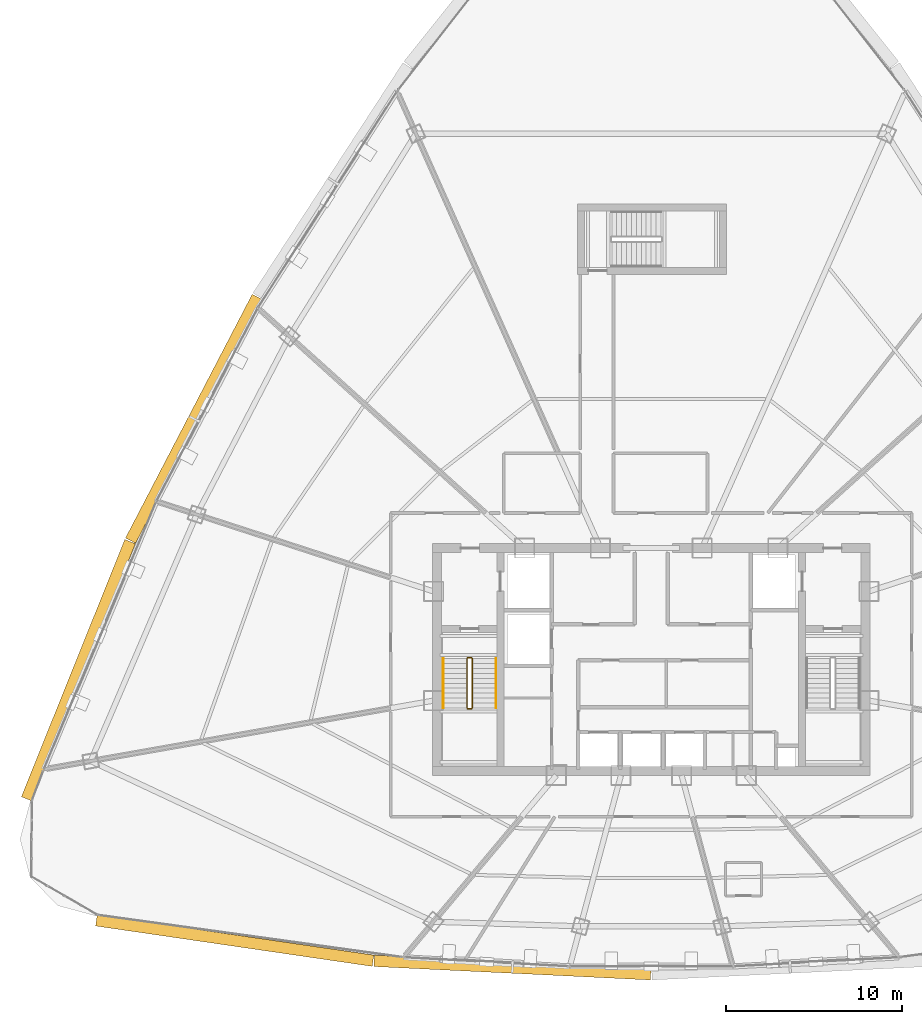
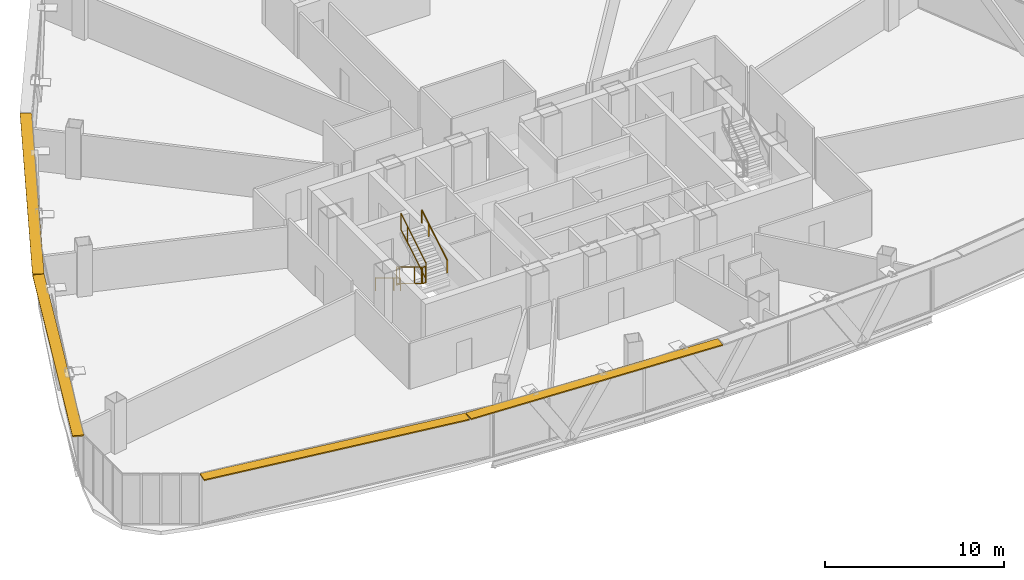
# One storey, part 33 of 36: 6 railings, 4 shading devices.
"""IFC4 building model written with IfcOpenShell, lengths in metres."""

from ifc_helpers import new_model, si_unit, direction, frame, origin, origin_2d, place, context, subcontext, project, spatial, rectangle, extrude, source, transform, mapped, material, layer, layer_set, type_object, element, save


model = new_model("IFC4")

# Units and contexts
model_context = context("Model", 3, precision=1e-05, world=origin(), true_north=direction((0.0, 1.0)))
body_context = subcontext(model_context, "Body", "Model", "MODEL_VIEW")
ifc_project = project(units=[si_unit("LENGTHUNIT", "METRE"), si_unit("AREAUNIT", "SQUARE_METRE"), si_unit("VOLUMEUNIT", "CUBIC_METRE"), si_unit("PLANEANGLEUNIT", "RADIAN"), si_unit("MASSUNIT", "GRAM", prefix="KILO"), si_unit("THERMODYNAMICTEMPERATUREUNIT", "KELVIN"), si_unit("POWERUNIT", "WATT")], contexts=[model_context])

# Site, building, storey
site_placement = place(None, origin())
site = spatial("IfcSite", under=ifc_project, at=site_placement, CompositionType="ELEMENT")
building_placement = place(site_placement, origin())
building = spatial("IfcBuilding", under=site, at=building_placement, Name="Yunzhuo Pagoda Commons", CompositionType="ELEMENT")
storey_placement = place(building_placement, frame((0.0, 0.0, 248.260009765625)))
storey = spatial("IfcBuildingStorey", under=building, at=storey_placement, Name="L62", CompositionType="ELEMENT", Elevation=248.260009765625)

# Railings
ifc_material = material(Name="Anodized aluminium 6063-T6", Category="aluminium")
railing_type_1 = type_object("IfcRailingType", Name="GR-ST1 Stair Well Guardrail 1150", PredefinedType="GUARDRAIL", material=ifc_material)
railing_1_placement = place(storey_placement, frame((37.5, 33.89990234375, 0.16943359375)))
element("IfcRailing", 1, at=railing_1_placement, inside=storey, type_object=railing_type_1, Name="L62 ST1 stair guard 1", PredefinedType="GUARDRAIL", context=body_context, shape_type="SweptSolid", body=[
    extrude(rectangle(XDim=0.048095703125, YDim=0.048095703125, at=origin_2d()), frame((0.0, 0.0, 1.1259765625), z_axis=(0.0, -0.855373106579, 0.518012401918), x_axis=(1.0, 0.0, 0.0)), (0.0, 0.0, 1.0), 3.273193359375),
    extrude(rectangle(XDim=0.048095703125, YDim=0.048095703125, at=origin_2d()), frame((0.0, 0.0, 0.02392578125), z_axis=(0.0, -0.855373106579, 0.518012401918), x_axis=(1.0, 0.0, 0.0)), (0.0, 0.0, 1.0), 3.273193359375),
    extrude(rectangle(XDim=0.0419921875, YDim=0.0419921875, at=origin_2d()), origin(), (0.0, 0.0, 1.0), 1.101806640625),
    extrude(rectangle(XDim=0.0419921875, YDim=0.0419921875, at=origin_2d()), frame((0.0, -2.052978515625, 1.2431640625)), (0.0, 0.0, 1.0), 1.101806640625),
    extrude(rectangle(XDim=0.0419921875, YDim=0.0419921875, at=origin_2d()), frame((0.0, -2.7998046875, 1.695556640625)), (0.0, 0.0, 1.0), 1.101806640625),
])
railing_2_placement = place(storey_placement, frame((37.550048828125, 31.050048828125, 1.864990234375)))
element("IfcRailing", 2, at=railing_2_placement, inside=storey, type_object=railing_type_1, Name="L62 ST1 stair guard 2", PredefinedType="GUARDRAIL", context=body_context, shape_type="SweptSolid", body=[
    extrude(rectangle(XDim=0.048095703125, YDim=0.048095703125, at=origin_2d()), frame((0.0, 0.0, 1.1259765625), z_axis=(1.0, 0.0, 0.0), x_axis=(0.0, 1.0, 0.0)), (0.0, 0.0, 1.0), 0.199951171875),
    extrude(rectangle(XDim=0.048095703125, YDim=0.048095703125, at=origin_2d()), frame((0.0, 0.0, 0.02392578125), z_axis=(1.0, 0.0, 0.0), x_axis=(0.0, 1.0, 0.0)), (0.0, 0.0, 1.0), 0.199951171875),
    extrude(rectangle(XDim=0.0419921875, YDim=0.0419921875, at=origin_2d()), origin(), (0.0, 0.0, 1.0), 1.101806640625),
    extrude(rectangle(XDim=0.0419921875, YDim=0.0419921875, at=origin_2d()), frame((0.199951171875, 0.0, 0.0)), (0.0, 0.0, 1.0), 1.101806640625),
])
railing_3_placement = place(storey_placement, frame((37.800048828125, 31.10009765625, 2.034423828125)))
element("IfcRailing", 3, at=railing_3_placement, inside=storey, type_object=railing_type_1, Name="L62 ST1 stair guard 3", PredefinedType="GUARDRAIL", context=body_context, shape_type="SweptSolid", body=[
    extrude(rectangle(XDim=0.048095703125, YDim=0.048095703125, at=origin_2d()), frame((0.0, 0.0, 1.1259765625), z_axis=(0.0, 0.855373106579, 0.518012401918), x_axis=(-1.0, 0.0, 0.0)), (0.0, 0.0, 1.0), 3.273193359375),
    extrude(rectangle(XDim=0.048095703125, YDim=0.048095703125, at=origin_2d()), frame((0.0, 0.0, 0.02392578125), z_axis=(0.0, 0.855373106579, 0.518012401918), x_axis=(-1.0, 0.0, 0.0)), (0.0, 0.0, 1.0), 3.273193359375),
    extrude(rectangle(XDim=0.0419921875, YDim=0.0419921875, at=origin_2d()), origin(), (0.0, 0.0, 1.0), 1.101806640625),
    extrude(rectangle(XDim=0.0419921875, YDim=0.0419921875, at=origin_2d()), frame((0.0, 2.052978515625, 1.2431640625)), (0.0, 0.0, 1.0), 1.101806640625),
    extrude(rectangle(XDim=0.0419921875, YDim=0.0419921875, at=origin_2d()), frame((0.0, 2.7998046875, 1.695556640625)), (0.0, 0.0, 1.0), 1.101806640625),
])
railing_4_placement = place(storey_placement, frame((37.550048828125, 33.949951171875, 0.0)))
element("IfcRailing", 4, at=railing_4_placement, inside=storey, type_object=railing_type_1, Name="L62 ST1 stair guard 4", PredefinedType="GUARDRAIL", context=body_context, shape_type="SweptSolid", body=[
    extrude(rectangle(XDim=0.048095703125, YDim=0.048095703125, at=origin_2d()), frame((0.0, 0.0, 1.1259765625), z_axis=(1.0, 0.0, 0.0), x_axis=(0.0, 1.0, 0.0)), (0.0, 0.0, 1.0), 0.199951171875),
    extrude(rectangle(XDim=0.048095703125, YDim=0.048095703125, at=origin_2d()), frame((0.0, 0.0, 0.02392578125), z_axis=(1.0, 0.0, 0.0), x_axis=(0.0, 1.0, 0.0)), (0.0, 0.0, 1.0), 0.199951171875),
    extrude(rectangle(XDim=0.0419921875, YDim=0.0419921875, at=origin_2d()), origin(), (0.0, 0.0, 1.0), 1.101806640625),
    extrude(rectangle(XDim=0.0419921875, YDim=0.0419921875, at=origin_2d()), frame((0.199951171875, 0.0, 0.0)), (0.0, 0.0, 1.0), 1.101806640625),
])
railing_type_2 = type_object("IfcRailingType", Name="HR-ST1 Stair Handrail 900", PredefinedType="HANDRAIL", material=ifc_material)
railing_5_placement = place(storey_placement, frame((36.14990234375, 33.89990234375, 0.16943359375)))
element("IfcRailing", 5, at=railing_5_placement, inside=storey, type_object=railing_type_2, Name="L62 ST1 stair handrail 1", PredefinedType="HANDRAIL", context=body_context, shape_type="SweptSolid", body=[
    extrude(rectangle(XDim=0.048095703125, YDim=0.048095703125, at=origin_2d()), frame((0.0, 0.0, 0.8759765625), z_axis=(0.0, -0.855373106579, 0.518012401918), x_axis=(1.0, 0.0, 0.0)), (0.0, 0.0, 1.0), 3.273193359375),
    extrude(rectangle(XDim=0.0419921875, YDim=0.0419921875, at=origin_2d()), origin(), (0.0, 0.0, 1.0), 0.851806640625),
    extrude(rectangle(XDim=0.0419921875, YDim=0.0419921875, at=origin_2d()), frame((0.0, -2.052978515625, 1.2431640625)), (0.0, 0.0, 1.0), 0.851806640625),
    extrude(rectangle(XDim=0.0419921875, YDim=0.0419921875, at=origin_2d()), frame((0.0, -2.7998046875, 1.695556640625)), (0.0, 0.0, 1.0), 0.851806640625),
])
railing_6_placement = place(storey_placement, frame((39.14990234375, 31.10009765625, 2.034423828125)))
element("IfcRailing", 6, at=railing_6_placement, inside=storey, type_object=railing_type_2, Name="L62 ST1 stair handrail 2", PredefinedType="HANDRAIL", context=body_context, shape_type="SweptSolid", body=[
    extrude(rectangle(XDim=0.048095703125, YDim=0.048095703125, at=origin_2d()), frame((0.0, 0.0, 0.8759765625), z_axis=(0.0, 0.855373106579, 0.518012401918), x_axis=(-1.0, 0.0, 0.0)), (0.0, 0.0, 1.0), 3.273193359375),
    extrude(rectangle(XDim=0.0419921875, YDim=0.0419921875, at=origin_2d()), origin(), (0.0, 0.0, 1.0), 0.851806640625),
    extrude(rectangle(XDim=0.0419921875, YDim=0.0419921875, at=origin_2d()), frame((0.0, 2.052978515625, 1.2431640625)), (0.0, 0.0, 1.0), 0.851806640625),
    extrude(rectangle(XDim=0.0419921875, YDim=0.0419921875, at=origin_2d()), frame((0.0, 2.7998046875, 1.695556640625)), (0.0, 0.0, 1.0), 0.851806640625),
])

# Shading devices
ifc_layer = layer(ifc_material, 0.080078125)
ifc_layer_set = layer_set([ifc_layer], Name="Anodized aluminium 6063-T6")
shading_device_type = type_object("IfcShadingDeviceType", Name="SH-SUN1 Pagoda Horizontal Sunshade Eave 650", PredefinedType="USERDEFINED", material=ifc_layer_set)
shared_shape_1 = source(origin(), body_context, "Body", "SweptSolid", [
    extrude(rectangle(XDim=15.924560546875, YDim=0.64990234375, at=origin_2d()), origin(), (0.0, 0.0, 1.0), 0.080078125),
])
shading_device_1_placement = place(storey_placement, frame((24.269775390625, 17.8427734375, 3.389892578125), z_axis=(0.0, 0.0, 1.0), x_axis=(0.989510666697, -0.144459823108, 0.0)))
element("IfcShadingDevice", 7, at=shading_device_1_placement, inside=storey, type_object=shading_device_type, Name="L62 horizontal pagoda sunshade eave F1.1", ObjectType="SUNSHADE", PredefinedType="USERDEFINED", context=body_context, shape_type="MappedRepresentation", body=[
    mapped(shared_shape_1, transform((0.0, 0.0, 0.0), scale=1.0)),
])
shared_shape_2 = source(origin(), body_context, "Body", "SweptSolid", [
    extrude(rectangle(XDim=15.77587890625, YDim=0.64990234375, at=origin_2d()), origin(), (0.0, 0.0, 1.0), 0.080078125),
])
shading_device_2_placement = place(storey_placement, frame((40.08984375, 16.302978515625, 3.389892578125), z_axis=(0.0, 0.0, 1.0), x_axis=(0.998818043775, -0.04860571396, 0.0)))
element("IfcShadingDevice", 8, at=shading_device_2_placement, inside=storey, type_object=shading_device_type, Name="L62 horizontal pagoda sunshade eave F1.2", ObjectType="SUNSHADE", PredefinedType="USERDEFINED", context=body_context, shape_type="MappedRepresentation", body=[
    mapped(shared_shape_2, transform((0.0, 0.0, 0.0), scale=1.0)),
])
shared_shape_3 = source(origin(), body_context, "Body", "SweptSolid", [
    extrude(rectangle(XDim=15.79638671875, YDim=0.64990234375, at=origin_2d()), origin(), (0.0, 0.0, 1.0), 0.080078125),
])
shading_device_3_placement = place(storey_placement, frame((15.363037109375, 33.241943359375, 3.389892578125), z_axis=(0.0, 0.0, 1.0), x_axis=(-0.372987782576, -0.927836253899, 0.0)))
element("IfcShadingDevice", 9, at=shading_device_3_placement, inside=storey, type_object=shading_device_type, Name="L62 horizontal pagoda sunshade eave F3.4", ObjectType="SUNSHADE", PredefinedType="USERDEFINED", context=body_context, shape_type="MappedRepresentation", body=[
    mapped(shared_shape_3, transform((0.0, 0.0, 0.0), scale=1.0)),
])
shared_shape_4 = source(origin(), body_context, "Body", "SweptSolid", [
    extrude(rectangle(XDim=15.646484375, YDim=0.64990234375, at=origin_2d()), origin(), (0.0, 0.0, 1.0), 0.080078125),
])
shading_device_4_placement = place(storey_placement, frame((21.943603515625, 47.569091796875, 3.389892578125), z_axis=(0.0, 0.0, 1.0), x_axis=(-0.461206683033, -0.88729273384, 0.0)))
element("IfcShadingDevice", 10, at=shading_device_4_placement, inside=storey, type_object=shading_device_type, Name="L62 horizontal pagoda sunshade eave F3.3", ObjectType="SUNSHADE", PredefinedType="USERDEFINED", context=body_context, shape_type="MappedRepresentation", body=[
    mapped(shared_shape_4, transform((0.0, 0.0, 0.0), scale=1.0)),
])

save(model, "model.ifc")
